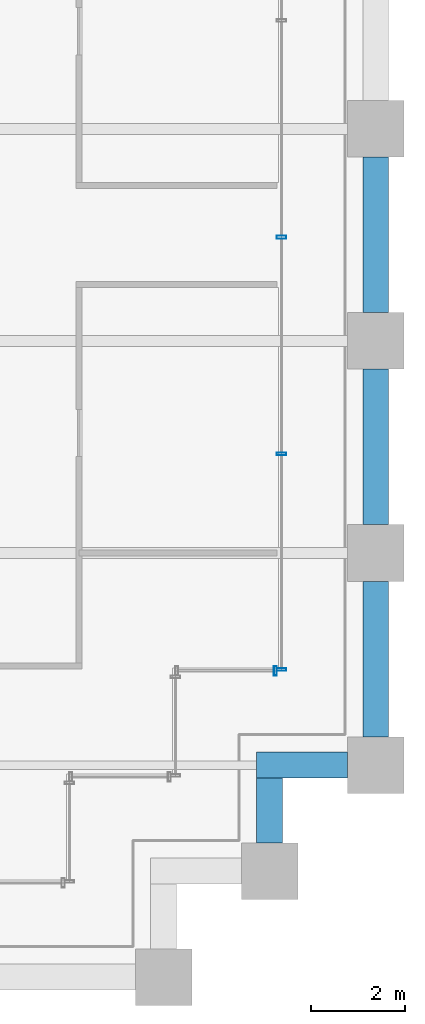
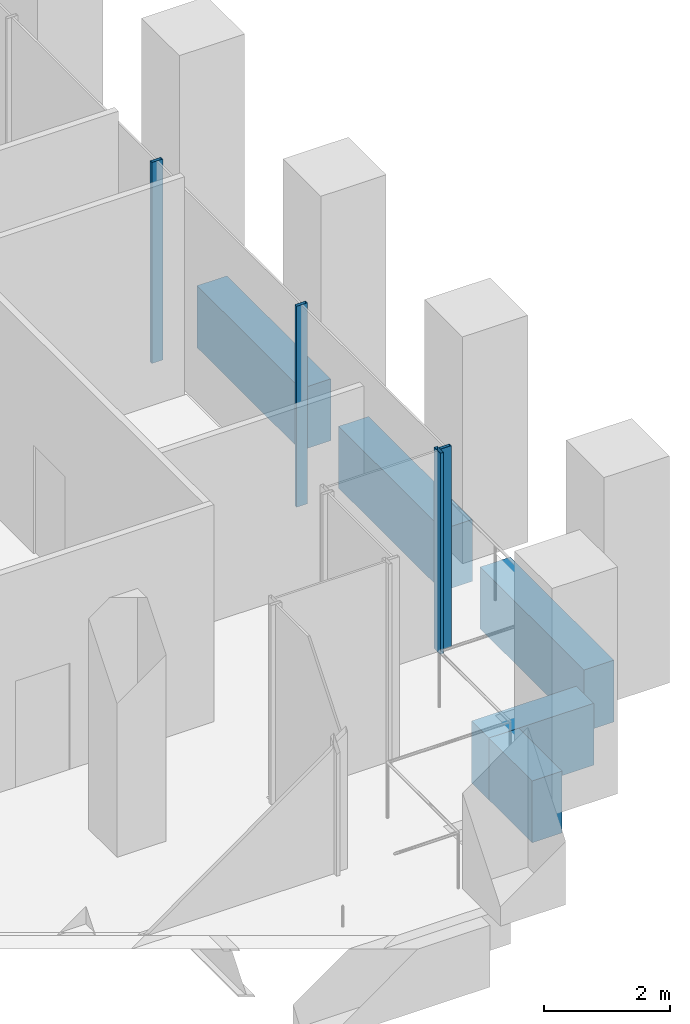
# One storey, part 26 of 36: 5 beams, 4 members, 2 elements without a shape of their own.
"""IFC4 building model written with IfcOpenShell, lengths in metres."""

from ifc_helpers import new_model, si_unit, direction, frame, origin, origin_2d, place, context, subcontext, project, spatial, rectangle, hollow_rectangle, extrude, material, material_profile, profile_set, type_object, element, aggregate, save


model = new_model("IFC4")

# Units and contexts
model_context = context("Model", 3, precision=1e-05, world=origin(), true_north=direction((0.0, 1.0)))
body_context = subcontext(model_context, "Body", "Model", "MODEL_VIEW")
ifc_project = project(units=[si_unit("LENGTHUNIT", "METRE"), si_unit("AREAUNIT", "SQUARE_METRE"), si_unit("VOLUMEUNIT", "CUBIC_METRE"), si_unit("PLANEANGLEUNIT", "RADIAN"), si_unit("MASSUNIT", "GRAM", prefix="KILO")], contexts=[model_context])

# Site, building, storey
site_placement = place(None, origin())
site = spatial("IfcSite", under=ifc_project, at=site_placement, CompositionType="ELEMENT")
building_placement = place(site_placement, origin())
building = spatial("IfcBuilding", under=site, at=building_placement, Name="Altepetl Exchange Towers", CompositionType="ELEMENT")
storey_placement = place(building_placement, frame((0.0, 0.0, 43.0)))
storey = spatial("IfcBuildingStorey", under=building, at=storey_placement, Name="L09", CompositionType="ELEMENT", Elevation=43.0)

# Curtain wall, member
ifc_material_1 = material(Name="Aluminium 6063-T6 glazing", Category="aluminium")
curtain_wall_type = type_object("IfcCurtainWallType", Name="Trading floor glazing system", PredefinedType="NOTDEFINED", material=ifc_material_1)
curtain_wall_1_placement = place(storey_placement, origin())
curtain_wall_1 = element("IfcCurtainWall", 1, at=curtain_wall_1_placement, inside=storey, type_object=curtain_wall_type, Name="CW2 run", PredefinedType="NOTDEFINED")
ifc_material_2 = material(Name="Aluminium 6063-T6", Category="aluminium")
ifc_material_profile_1 = material_profile(ifc_material_2, hollow_rectangle(XDim=0.06005859375, YDim=0.199951171875, WallThickness=0.0029296875, at=origin_2d()), Name="Mullion 60x200 aluminium")
ifc_profile_set_1 = profile_set([ifc_material_profile_1], Name="Aluminium 6063-T6")
member_type = type_object("IfcMemberType", Name="Mullion 60x200 aluminium", PredefinedType="MULLION", material=ifc_profile_set_1)
member_1_placement = place(storey_placement, frame((123.8701171875, 33.5, 0.0)))
member_1 = element("IfcMember", 2, at=member_1_placement, type_object=member_type, Name="MU2 mullion", PredefinedType="MULLION", context=body_context, shape_type="SweptSolid", body=[
    extrude(hollow_rectangle(XDim=0.06005859375, YDim=0.199951171875, WallThickness=0.0029296875, at=origin_2d()), origin(), (0.0, 0.0, 1.0), 3.89990234375),
])
aggregate(curtain_wall_1, [member_1])

# Curtain wall, members
curtain_wall_2_placement = place(storey_placement, origin())
curtain_wall_2 = element("IfcCurtainWall", 3, at=curtain_wall_2_placement, inside=storey, type_object=curtain_wall_type, Name="CW2 run", PredefinedType="NOTDEFINED")
member_2_placement = place(storey_placement, frame((124.0, 33.530029296875, 0.0), z_axis=(0.0, 0.0, 1.0), x_axis=(0.0, 1.0, 0.0)))
member_2 = element("IfcMember", 4, at=member_2_placement, type_object=member_type, Name="MU2 mullion", PredefinedType="MULLION", context=body_context, shape_type="SweptSolid", body=[
    extrude(hollow_rectangle(XDim=0.06005859375, YDim=0.199951171875, WallThickness=0.0029296875, at=origin_2d()), origin(), (0.0, 0.0, 1.0), 3.89990234375),
])
member_3_placement = place(storey_placement, frame((124.0, 38.10009765625, 0.0), z_axis=(0.0, 0.0, 1.0), x_axis=(0.0, 1.0, 0.0)))
member_3 = element("IfcMember", 5, at=member_3_placement, type_object=member_type, Name="MU2 mullion", PredefinedType="MULLION", context=body_context, shape_type="SweptSolid", body=[
    extrude(hollow_rectangle(XDim=0.06005859375, YDim=0.199951171875, WallThickness=0.0029296875, at=origin_2d()), origin(), (0.0, 0.0, 1.0), 3.89990234375),
])
member_4_placement = place(storey_placement, frame((124.0, 42.699951171875, 0.0), z_axis=(0.0, 0.0, 1.0), x_axis=(0.0, 1.0, 0.0)))
member_4 = element("IfcMember", 6, at=member_4_placement, type_object=member_type, Name="MU2 mullion", PredefinedType="MULLION", context=body_context, shape_type="SweptSolid", body=[
    extrude(hollow_rectangle(XDim=0.06005859375, YDim=0.199951171875, WallThickness=0.0029296875, at=origin_2d()), origin(), (0.0, 0.0, 1.0), 3.89990234375),
])
aggregate(curtain_wall_2, [member_2, member_3, member_4])

# Beams
ifc_material_3 = material(Name="Concrete C50/60 precast with cantera blanca facing", Category="concrete")
ifc_material_profile_2 = material_profile(ifc_material_3, rectangle(XDim=0.550048828125, YDim=1.199951171875, at=origin_2d()), Name="550 x 1200")
ifc_profile_set_2 = profile_set([ifc_material_profile_2], Name="Concrete C50/60 precast with cantera blanca facing")
beam_type = type_object("IfcBeamType", Name="Spandrel beam 550x1200 cantera blanca", PredefinedType="SPANDREL", material=ifc_profile_set_2)
beam_1_placement = place(storey_placement, frame((123.75, 29.85009765625, -0.77490234375), z_axis=(0.0, 1.0, 0.0), x_axis=(-1.0, 0.0, 0.0)))
element("IfcBeam", 7, at=beam_1_placement, inside=storey, type_object=beam_type, Name="sp:B:L09:007", PredefinedType="SPANDREL", context=body_context, shape_type="SweptSolid", body=[
    extrude(rectangle(XDim=0.550048828125, YDim=1.199951171875, at=origin_2d()), origin(), (0.0, 0.0, 1.0), 1.375),
])
beam_2_placement = place(storey_placement, frame((123.47509765625, 31.5, -0.77490234375), z_axis=(1.0, 0.0, 0.0), x_axis=(0.0, 1.0, 0.0)))
element("IfcBeam", 8, at=beam_2_placement, inside=storey, type_object=beam_type, Name="sp:B:L09:008", PredefinedType="SPANDREL", context=body_context, shape_type="SweptSolid", body=[
    extrude(rectangle(XDim=0.550048828125, YDim=1.199951171875, at=origin_2d()), origin(), (0.0, 0.0, 1.0), 1.9248046875),
])
for number, where, z_axis, x_axis, name in (
    (9, (126.0, 32.10009765625, -0.77490234375), (0.0, 1.0, 0.0), (-1.0, 0.0, 0.0), "sp:B:L09:009"),
    (10, (126.0, 36.60009765625, -0.77490234375), (0.0, 1.0, 0.0), (-1.0, 0.0, 0.0), "sp:B:L09:010"),
    (11, (126.0, 41.10009765625, -0.77490234375), (0.0, 1.0, 0.0), (-1.0, 0.0, 0.0), "sp:B:L09:011"),
):
    element("IfcBeam", number, at=place(storey_placement, frame(where, z_axis=z_axis, x_axis=x_axis)), inside=storey, type_object=beam_type, Name=name, PredefinedType="SPANDREL", context=body_context, shape_type="SweptSolid", body=[
        extrude(rectangle(XDim=0.550048828125, YDim=1.199951171875, at=origin_2d()), origin(), (0.0, 0.0, 1.0), 3.2998046875),
    ])

save(model, "model.ifc")
